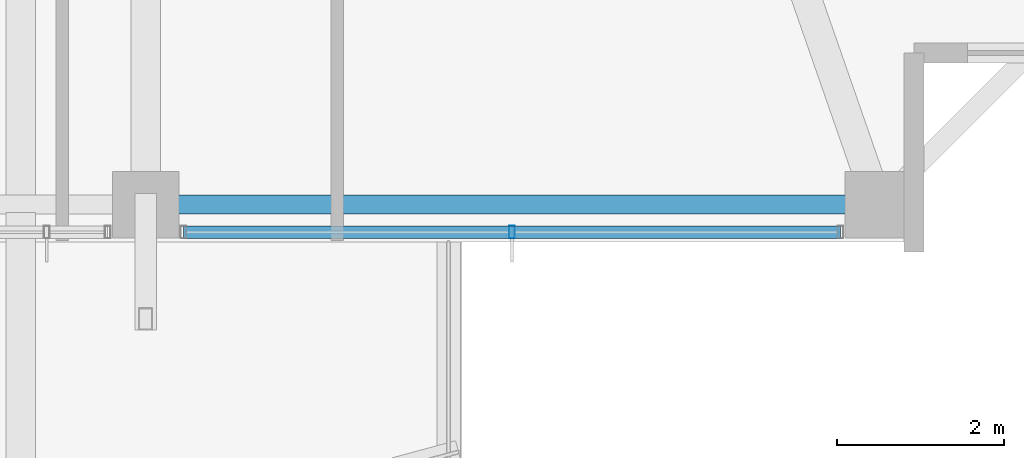
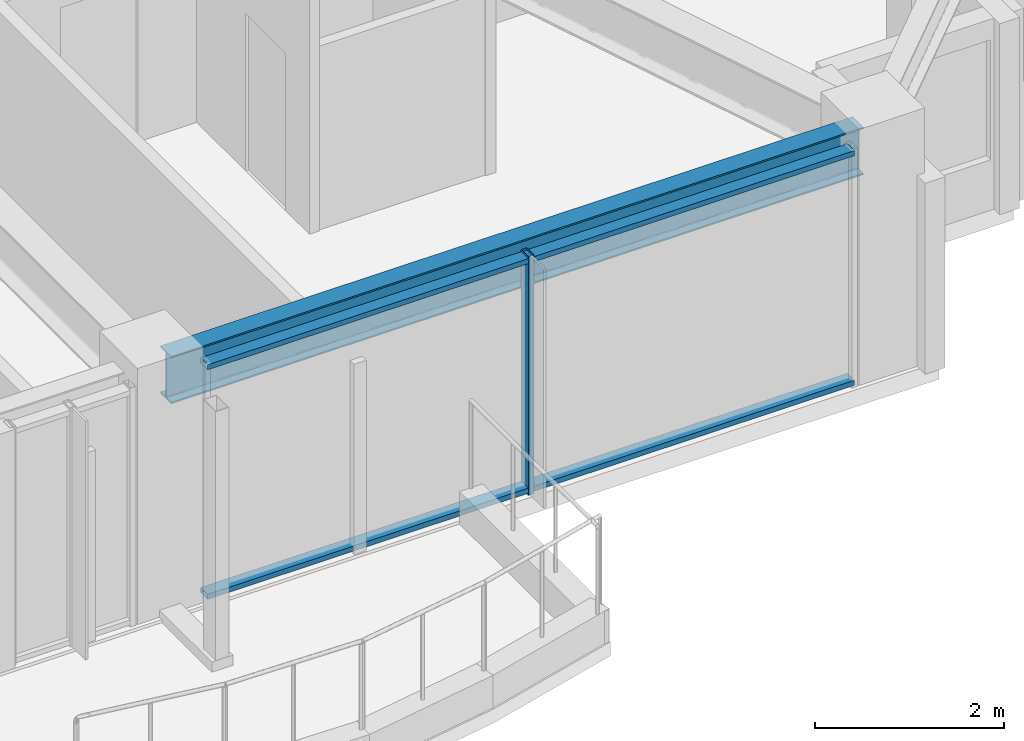
# One storey, part 6 of 38: 3 members, 1 beam, 1 element without a shape of its own.
"""IFC4 building model written with IfcOpenShell, lengths in metres."""

from ifc_helpers import new_model, si_unit, direction, frame, origin, origin_2d, place, context, subcontext, project, spatial, hollow_rectangle, i_section, extrude, material, material_profile, profile_set, type_object, element, aggregate, save


model = new_model("IFC4")

# Units and contexts
model_context = context("Model", 3, precision=1e-05, world=origin(), true_north=direction((0.0, 1.0)))
body_context = subcontext(model_context, "Body", "Model", "MODEL_VIEW")
ifc_project = project(units=[si_unit("LENGTHUNIT", "METRE"), si_unit("AREAUNIT", "SQUARE_METRE"), si_unit("VOLUMEUNIT", "CUBIC_METRE"), si_unit("PLANEANGLEUNIT", "RADIAN"), si_unit("MASSUNIT", "GRAM", prefix="KILO")], contexts=[model_context])

# Site, building, storey
site_placement = place(None, origin())
site = spatial("IfcSite", under=ifc_project, at=site_placement, CompositionType="ELEMENT")
building_placement = place(site_placement, origin())
building = spatial("IfcBuilding", under=site, at=building_placement, Name="Kolvaren Belvedere", CompositionType="ELEMENT")
storey_placement = place(building_placement, frame((0.0, 0.0, 213.0)))
storey = spatial("IfcBuildingStorey", under=building, at=storey_placement, Name="L62", CompositionType="ELEMENT", Elevation=213.0)

# Beam
ifc_material_1 = material(Name="Structural steel ASTM A992 Grade 50", Category="steel")
ifc_material_profile_1 = material_profile(ifc_material_1, i_section(OverallWidth=0.22900390625, OverallDepth=0.612060546875, WebThickness=0.011962890625, FlangeThickness=0.01953125, FilletRadius=0.01806640625, at=origin_2d()), Name="W24X84")
ifc_profile_set_1 = profile_set([ifc_material_profile_1], Name="Structural steel ASTM A992 Grade 50")
beam_type = type_object("IfcBeamType", Name="BM-SPAN-W24X84", PredefinedType="SPANDREL", material=ifc_profile_set_1)
beam_placement = place(storey_placement, frame((4.780029296875, -19.949951171875, 2.77392578125), z_axis=(1.0, 0.0, 0.0), x_axis=(0.0, 1.0, 0.0)))
element("IfcBeam", 1, at=beam_placement, inside=storey, type_object=beam_type, Name="L62 Perimeter Spandrel S3-S4", PredefinedType="SPANDREL", context=body_context, shape_type="SweptSolid", body=[
    extrude(i_section(OverallWidth=0.22900390625, OverallDepth=0.612060546875, WebThickness=0.011962890625, FlangeThickness=0.01953125, FilletRadius=0.01806640625, at=origin_2d()), origin(), (0.0, 0.0, 1.0), 8.43994140625),
])

# Curtain wall, members
ifc_material_2 = material(Name="Anodised pale-metal aluminium AA 6063-T6", Category="aluminium")
curtain_wall_type = type_object("IfcCurtainWallType", Name="CW-Z5-HIGH", PredefinedType="NOTDEFINED", material=ifc_material_2)
curtain_wall_placement = place(storey_placement, origin())
curtain_wall = element("IfcCurtainWall", 2, at=curtain_wall_placement, inside=storey, type_object=curtain_wall_type, Name="L62 Unitised Curtain Wall FCW-L62-S1-B1", PredefinedType="NOTDEFINED")
ifc_material_3 = material(Name="Anodised pale-metal aluminium AA 6063-T6", Category="aluminium")
ifc_material_profile_2 = material_profile(ifc_material_3, hollow_rectangle(XDim=0.070068359375, YDim=0.14990234375, WallThickness=0.004150390625, at=origin_2d()), Name="ALU-MUL-150X70")
ifc_profile_set_2 = profile_set([ifc_material_profile_2], Name="Anodised pale-metal aluminium AA 6063-T6")
member_type_1 = type_object("IfcMemberType", Name="CW-MUL-150", PredefinedType="MULLION", material=ifc_profile_set_2)
member_1_placement = place(storey_placement, frame((9.0, -20.280029296875, 0.0), z_axis=(0.0, 0.0, 1.0), x_axis=(1.0, 0.0, 0.0)))
member_1 = element("IfcMember", 3, at=member_1_placement, type_object=member_type_1, Name="FCW-L62-S1-B1 Unitised Mullion 2", PredefinedType="MULLION", context=body_context, shape_type="SweptSolid", body=[
    extrude(hollow_rectangle(XDim=0.070068359375, YDim=0.14990234375, WallThickness=0.004150390625, at=origin_2d()), origin(), (0.0, 0.0, 1.0), 3.080078125),
])
ifc_material_4 = material(Name="Anodised pale-metal aluminium AA 6063-T6", Category="aluminium")
ifc_material_profile_3 = material_profile(ifc_material_4, hollow_rectangle(XDim=0.06494140625, YDim=0.14990234375, WallThickness=0.00390625, at=origin_2d()), Name="ALU-TRN-150X65")
ifc_profile_set_3 = profile_set([ifc_material_profile_3], Name="Anodised pale-metal aluminium AA 6063-T6")
member_type_2 = type_object("IfcMemberType", Name="CW-TRN-150", PredefinedType="USERDEFINED", material=ifc_profile_set_3)
member_2_placement = place(storey_placement, frame((12.945068359375, -20.280029296875, 0.06005859375), z_axis=(-1.0, 0.0, 0.0), x_axis=(0.0, 0.0, 1.0)))
member_2 = element("IfcMember", 4, at=member_2_placement, type_object=member_type_2, Name="FCW-L62-S1-B1 Sill Transom", ObjectType="TRANSOM", PredefinedType="USERDEFINED", context=body_context, shape_type="SweptSolid", body=[
    extrude(hollow_rectangle(XDim=0.06494140625, YDim=0.14990234375, WallThickness=0.00390625, at=origin_2d()), origin(), (0.0, 0.0, 1.0), 7.89013671875),
])
member_3_placement = place(storey_placement, frame((12.945068359375, -20.280029296875, 3.02001953125), z_axis=(-1.0, 0.0, 0.0), x_axis=(0.0, 0.0, 1.0)))
member_3 = element("IfcMember", 5, at=member_3_placement, type_object=member_type_2, Name="FCW-L62-S1-B1 Head Transom", ObjectType="TRANSOM", PredefinedType="USERDEFINED", context=body_context, shape_type="SweptSolid", body=[
    extrude(hollow_rectangle(XDim=0.06494140625, YDim=0.14990234375, WallThickness=0.00390625, at=origin_2d()), origin(), (0.0, 0.0, 1.0), 7.89013671875),
])
aggregate(curtain_wall, [member_1, member_2, member_3])

save(model, "model.ifc")
